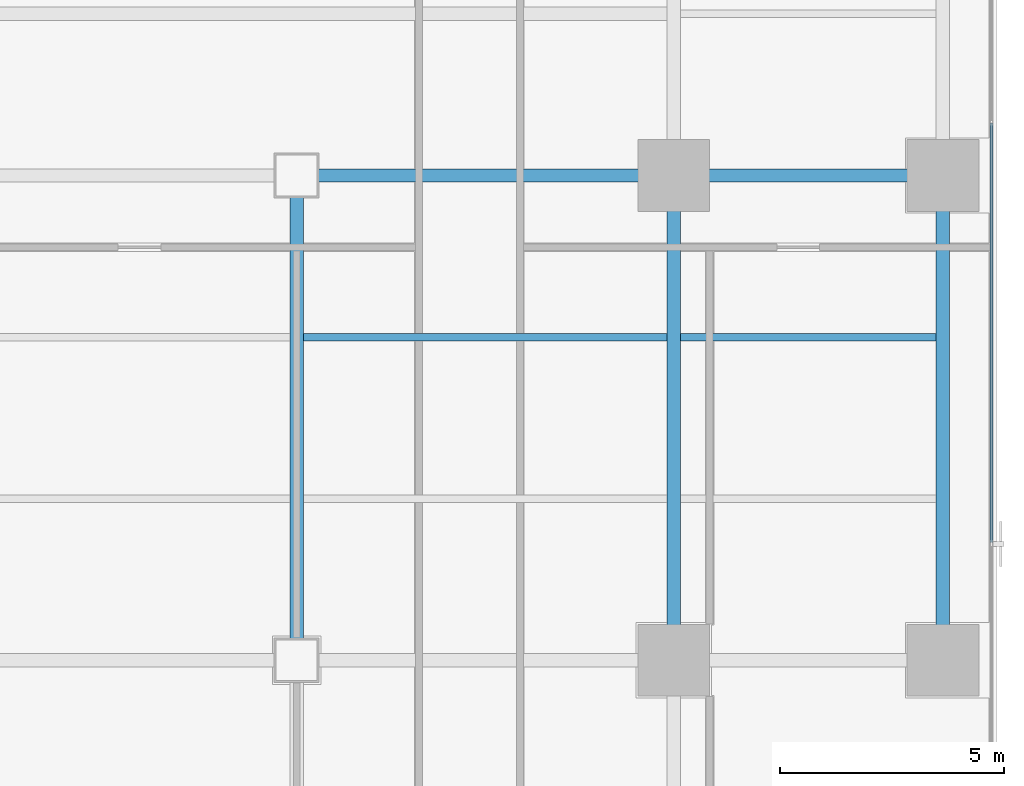
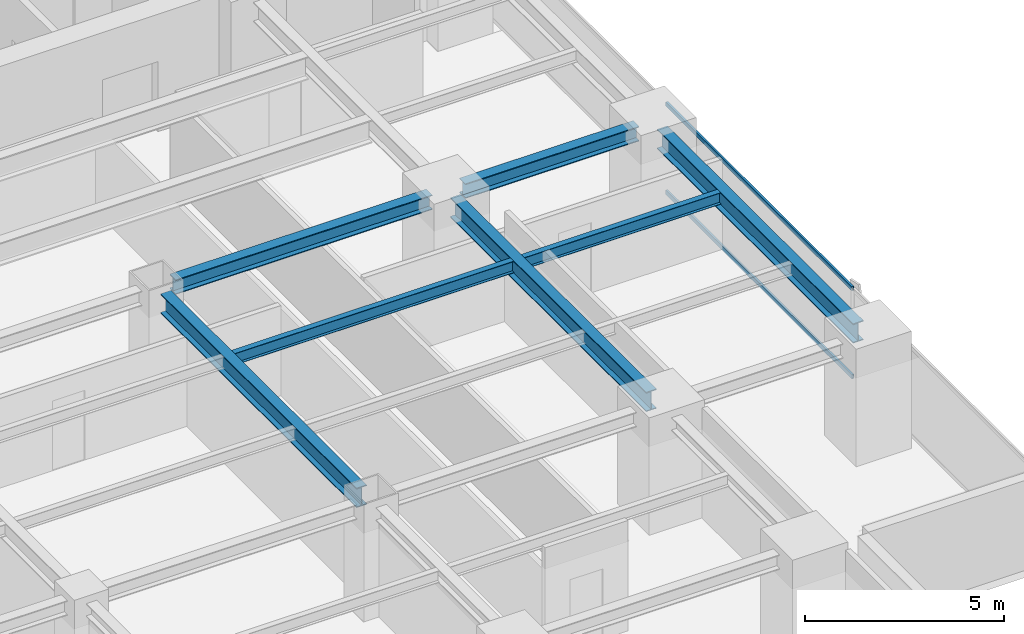
# One storey, part 12 of 28: 7 beams, 2 members, 1 element without a shape of its own.
"""IFC4 building model written with IfcOpenShell, lengths in metres."""

from ifc_helpers import new_model, si_unit, direction, frame, origin, origin_2d, place, context, subcontext, project, spatial, hollow_rectangle, i_section, extrude, source, transform, mapped, material, layer, layer_set, material_profile, profile_set, type_object, element, aggregate, save


model = new_model("IFC4")

# Units and contexts
model_context = context("Model", 3, precision=1e-05, world=origin(), true_north=direction((0.0, 1.0)))
body_context = subcontext(model_context, "Body", "Model", "MODEL_VIEW")
ifc_project = project(units=[si_unit("LENGTHUNIT", "METRE"), si_unit("AREAUNIT", "SQUARE_METRE"), si_unit("VOLUMEUNIT", "CUBIC_METRE"), si_unit("PLANEANGLEUNIT", "RADIAN"), si_unit("MASSUNIT", "GRAM", prefix="KILO")], contexts=[model_context])

# Site, building, storey
site_placement = place(None, origin())
site = spatial("IfcSite", under=ifc_project, at=site_placement, CompositionType="ELEMENT")
building_placement = place(site_placement, origin())
building = spatial("IfcBuilding", under=site, at=building_placement, Name="Sumidabori Civic Tower", CompositionType="ELEMENT")
storey_placement = place(building_placement, frame((0.0, 0.0, 146.0)))
storey = spatial("IfcBuildingStorey", under=building, at=storey_placement, Name="L37", CompositionType="ELEMENT", Elevation=146.0)

# Beams
ifc_material_1 = material(Name="Steel SN490", Category="steel")
ifc_material_profile_1 = material_profile(ifc_material_1, i_section(OverallWidth=0.300048828125, OverallDepth=0.60009765625, WebThickness=0.015380859375, FlangeThickness=0.030029296875, at=origin_2d()), Name="HE 600 B")
ifc_profile_set_1 = profile_set([ifc_material_profile_1], Name="Steel SN490")
beam_type_1 = type_object("IfcBeamType", Name="BM-GIRD-600", PredefinedType="BEAM", material=ifc_profile_set_1)
shared_shape_1 = source(origin(), body_context, "Body", "SweptSolid", [
    extrude(i_section(OverallWidth=0.300048828125, OverallDepth=0.60009765625, WebThickness=0.015380859375, FlangeThickness=0.030029296875, at=origin_2d()), origin(), (0.0, 0.0, 1.0), 9.840087890625),
])
for number, where, z_axis, x_axis, name in (
    (1, (8.39990234375, -10.320068359375, 3.080078125), (0.0, 1.0, 0.0), (-1.0, 0.0, 0.0), "Primary Girder L37 GY-31"),
    (2, (16.800048828125, -10.320068359375, 3.080078125), (0.0, 1.0, 0.0), (-1.0, 0.0, 0.0), "Primary Girder L37 GY-33"),
    (3, (22.800048828125, -10.320068359375, 3.080078125), (0.0, 1.0, 0.0), (-1.0, 0.0, 0.0), "Primary Girder L37 GY-36"),
):
    element("IfcBeam", number, at=place(storey_placement, frame(where, z_axis=z_axis, x_axis=x_axis)), inside=storey, type_object=beam_type_1, Name=name, PredefinedType="BEAM", context=body_context, shape_type="MappedRepresentation", body=[
        mapped(shared_shape_1, transform((0.0, 0.0, 0.0), x_axis=(1.0, 0.0, 0.0), y_axis=(0.0, 1.0, 0.0), z_axis=(0.0, 0.0, 1.0), scale=1.0)),
    ])
ifc_material_profile_2 = material_profile(ifc_material_1, i_section(OverallWidth=0.169921875, OverallDepth=0.360107421875, WebThickness=0.008056640625, FlangeThickness=0.0126953125, at=origin_2d()), Name="IPE 360")
ifc_profile_set_2 = profile_set([ifc_material_profile_2], Name="Steel SN490")
beam_type_2 = type_object("IfcBeamType", Name="BM-JST-360", PredefinedType="JOIST", material=ifc_profile_set_2)
shared_shape_2 = source(origin(), body_context, "Body", "SweptSolid", [
    extrude(i_section(OverallWidth=0.169921875, OverallDepth=0.360107421875, WebThickness=0.008056640625, FlangeThickness=0.0126953125, at=origin_2d()), origin(), (0.0, 0.0, 1.0), 5.699951171875),
])
beam_1_placement = place(storey_placement, frame((16.949951171875, -3.60009765625, 3.199951171875), z_axis=(1.0, 0.0, 0.0), x_axis=(0.0, 1.0, 0.0)))
element("IfcBeam", 4, at=beam_1_placement, inside=storey, type_object=beam_type_2, Name="Outer Bay Floor Joist L37 JSTO-42", PredefinedType="JOIST", context=body_context, shape_type="MappedRepresentation", body=[
    mapped(shared_shape_2, transform((0.0, 0.0, 0.0), x_axis=(1.0, 0.0, 0.0), y_axis=(0.0, 1.0, 0.0), z_axis=(0.0, 0.0, 1.0), scale=1.0)),
])
shared_shape_3 = source(origin(), body_context, "Body", "SweptSolid", [
    extrude(i_section(OverallWidth=0.169921875, OverallDepth=0.360107421875, WebThickness=0.008056640625, FlangeThickness=0.0126953125, at=origin_2d()), origin(), (0.0, 0.0, 1.0), 8.099853515625),
])
beam_2_placement = place(storey_placement, frame((8.550048828125, -3.60009765625, 3.199951171875), z_axis=(1.0, 0.0, 0.0), x_axis=(0.0, 1.0, 0.0)))
element("IfcBeam", 5, at=beam_2_placement, inside=storey, type_object=beam_type_2, Name="South Bay Floor Joist L37 JSTS-60", PredefinedType="JOIST", context=body_context, shape_type="MappedRepresentation", body=[
    mapped(shared_shape_3, transform((0.0, 0.0, 0.0), x_axis=(1.0, 0.0, 0.0), y_axis=(0.0, 1.0, 0.0), z_axis=(0.0, 0.0, 1.0), scale=1.0)),
])
ifc_material_profile_3 = material_profile(ifc_material_1, i_section(OverallWidth=0.300048828125, OverallDepth=0.449951171875, WebThickness=0.013916015625, FlangeThickness=0.02587890625, at=origin_2d()), Name="HE 450 B")
ifc_profile_set_3 = profile_set([ifc_material_profile_3], Name="Steel SN490")
beam_type_3 = type_object("IfcBeamType", Name="BM-GIRD-450", PredefinedType="BEAM", material=ifc_profile_set_3)
shared_shape_4 = source(origin(), body_context, "Body", "SweptSolid", [
    extrude(i_section(OverallWidth=0.300048828125, OverallDepth=0.449951171875, WebThickness=0.013916015625, FlangeThickness=0.02587890625, at=origin_2d()), origin(), (0.0, 0.0, 1.0), 7.440185546875),
])
beam_3_placement = place(storey_placement, frame((8.8798828125, 0.0, 3.155029296875), z_axis=(1.0, 0.0, 0.0), x_axis=(0.0, 1.0, 0.0)))
element("IfcBeam", 6, at=beam_3_placement, inside=storey, type_object=beam_type_3, Name="Primary Girder L37 GX-15", PredefinedType="BEAM", context=body_context, shape_type="MappedRepresentation", body=[
    mapped(shared_shape_4, transform((0.0, 0.0, 0.0), x_axis=(1.0, 0.0, 0.0), y_axis=(0.0, 1.0, 0.0), z_axis=(0.0, 0.0, 1.0), scale=1.0)),
])
shared_shape_5 = source(origin(), body_context, "Body", "SweptSolid", [
    extrude(i_section(OverallWidth=0.300048828125, OverallDepth=0.449951171875, WebThickness=0.013916015625, FlangeThickness=0.02587890625, at=origin_2d()), origin(), (0.0, 0.0, 1.0), 5.0400390625),
])
beam_4_placement = place(storey_placement, frame((17.280029296875, 0.0, 3.155029296875), z_axis=(1.0, 0.0, 0.0), x_axis=(0.0, 1.0, 0.0)))
element("IfcBeam", 7, at=beam_4_placement, inside=storey, type_object=beam_type_3, Name="Primary Girder L37 GX-16", PredefinedType="BEAM", context=body_context, shape_type="MappedRepresentation", body=[
    mapped(shared_shape_5, transform((0.0, 0.0, 0.0), x_axis=(1.0, 0.0, 0.0), y_axis=(0.0, 1.0, 0.0), z_axis=(0.0, 0.0, 1.0), scale=1.0)),
])

# Curtain wall, members
ifc_material_2 = material(Name="Anodised Bronze Aluminium AW-6063-T6", Category="aluminium")
ifc_layer = layer(ifc_material_2, 0.179931640625, Name="Anodised Bronze Aluminium AW-6063-T6")
ifc_layer_set = layer_set([ifc_layer], Name="Anodised Bronze Aluminium AW-6063-T6")
curtain_wall_type = type_object("IfcCurtainWallType", Name="CW-SYS-3", PredefinedType="NOTDEFINED", material=ifc_layer_set)
curtain_wall_placement = place(storey_placement, origin())
curtain_wall = element("IfcCurtainWall", 8, at=curtain_wall_placement, inside=storey, type_object=curtain_wall_type, Name="Curtain Wall CW:L37:R04", PredefinedType="NOTDEFINED")
ifc_material_profile_4 = material_profile(ifc_material_2, hollow_rectangle(XDim=0.06005859375, YDim=0.1298828125, WallThickness=0.0048828125, at=origin_2d()), Name="ALU TRANSOM 130x60")
ifc_profile_set_4 = profile_set([ifc_material_profile_4], Name="Anodised Bronze Aluminium AW-6063-T6")
member_type = type_object("IfcMemberType", Name="CW-TRN-130", PredefinedType="USERDEFINED", material=ifc_profile_set_4)
shared_shape_6 = source(origin(), body_context, "Body", "SweptSolid", [
    extrude(hollow_rectangle(XDim=0.06005859375, YDim=0.1298828125, WallThickness=0.0048828125, at=origin_2d()), origin(), (0.0, 0.0, 1.0), 9.344970703125),
])
member_1_placement = place(storey_placement, frame((23.8798828125, -8.177490234375, 0.030029296875), z_axis=(0.0, 1.0, 0.0), x_axis=(-1.0, 0.0, 0.0)))
member_1 = element("IfcMember", 9, at=member_1_placement, type_object=member_type, Name="CW-3 transom 2.1", ObjectType="TRANSOM", PredefinedType="USERDEFINED", context=body_context, shape_type="MappedRepresentation", body=[
    mapped(shared_shape_6, transform((0.0, 0.0, 0.0), x_axis=(1.0, 0.0, 0.0), y_axis=(0.0, 1.0, 0.0), z_axis=(0.0, 0.0, 1.0), scale=1.0)),
])
member_2_placement = place(storey_placement, frame((23.8798828125, -8.177490234375, 2.72998046875), z_axis=(0.0, 1.0, 0.0), x_axis=(-1.0, 0.0, 0.0)))
member_2 = element("IfcMember", 10, at=member_2_placement, type_object=member_type, Name="CW-3 transom 2.2", ObjectType="TRANSOM", PredefinedType="USERDEFINED", context=body_context, shape_type="MappedRepresentation", body=[
    mapped(shared_shape_6, transform((0.0, 0.0, 0.0), x_axis=(1.0, 0.0, 0.0), y_axis=(0.0, 1.0, 0.0), z_axis=(0.0, 0.0, 1.0), scale=1.0)),
])
aggregate(curtain_wall, [member_1, member_2])

save(model, "model.ifc")
